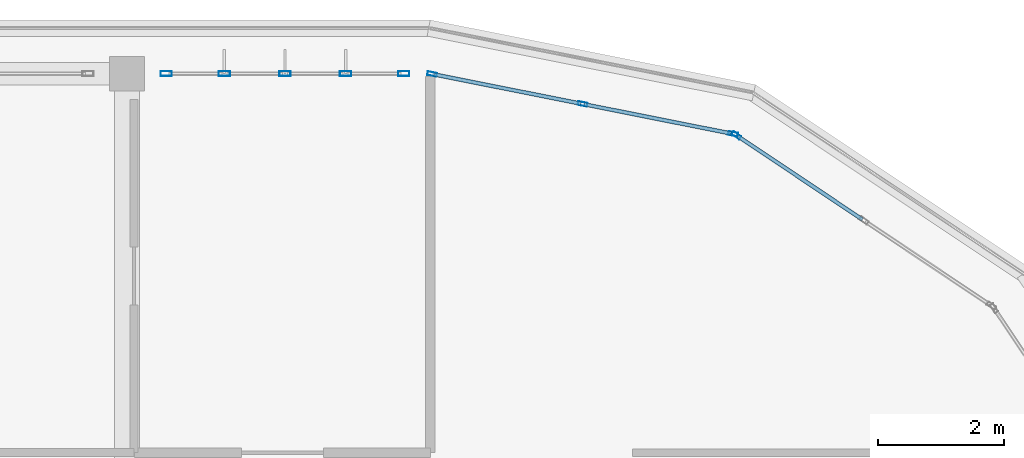
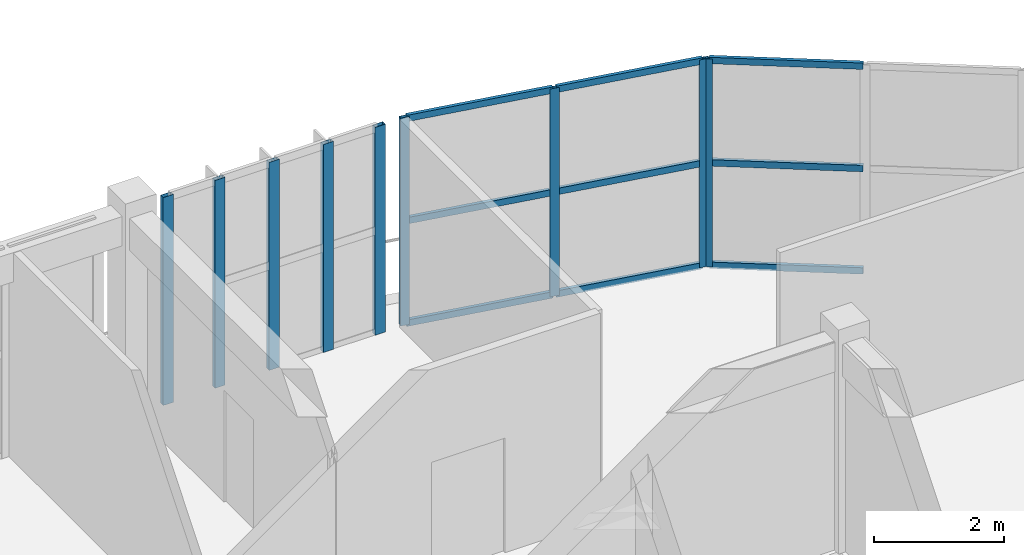
# One storey, part 25 of 44: 18 members, 3 elements without a shape of their own.
"""IFC4 building model written with IfcOpenShell, lengths in metres."""

from ifc_helpers import new_model, si_unit, direction, frame, origin, origin_2d, place, context, subcontext, project, spatial, hollow_rectangle, extrude, material, layer, layer_set, material_profile, profile_set, type_object, element, aggregate, save


model = new_model("IFC4")

# Units and contexts
model_context = context("Model", 3, precision=1e-05, world=origin(), true_north=direction((0.0, 1.0)))
body_context = subcontext(model_context, "Body", "Model", "MODEL_VIEW")
ifc_project = project(units=[si_unit("LENGTHUNIT", "METRE"), si_unit("AREAUNIT", "SQUARE_METRE"), si_unit("VOLUMEUNIT", "CUBIC_METRE"), si_unit("PLANEANGLEUNIT", "RADIAN"), si_unit("MASSUNIT", "GRAM", prefix="KILO")], contexts=[model_context])

# Site, building, storey
site_placement = place(None, origin())
site = spatial("IfcSite", under=ifc_project, at=site_placement, CompositionType="ELEMENT")
building_placement = place(site_placement, origin())
building = spatial("IfcBuilding", under=site, at=building_placement, Name="Zizhar Promenade General Hospital", CompositionType="ELEMENT")
storey_placement = place(building_placement, frame((0.0, 0.0, 34.800048828125)))
storey = spatial("IfcBuildingStorey", under=building, at=storey_placement, Name="L08", CompositionType="ELEMENT", Elevation=34.800048828125)

# Curtain wall, member
ifc_material_1 = material(Name="Anodised aluminium 6063-T6 and low-E glass", Category="aluminium")
ifc_layer_1 = layer(ifc_material_1, 0.159912109375)
ifc_layer_set_1 = layer_set([ifc_layer_1], Name="Anodised aluminium 6063-T6 and low-E glass")
curtain_wall_type_1 = type_object("IfcCurtainWallType", Name="CW-WARD-ARC", PredefinedType="NOTDEFINED", material=ifc_layer_set_1)
curtain_wall_1_placement = place(storey_placement, origin())
curtain_wall_1 = element("IfcCurtainWall", 1, at=curtain_wall_1_placement, inside=storey, type_object=curtain_wall_type_1, Name="Ward Semicircular End Glazing L08-07", PredefinedType="NOTDEFINED")
ifc_material_2 = material(Name="Anodised aluminium 6063-T6", Category="aluminium")
ifc_material_profile_1 = material_profile(ifc_material_2, hollow_rectangle(XDim=0.06005859375, YDim=0.14990234375, WallThickness=0.00390625, at=origin_2d()))
ifc_profile_set_1 = profile_set([ifc_material_profile_1], Name="Anodised aluminium 6063-T6")
member_type_1 = type_object("IfcMemberType", Name="CWM-ALU-150x60", PredefinedType="MULLION", material=ifc_profile_set_1)
member_1_placement = place(storey_placement, frame((103.246826171875, 24.22412109375, 0.0), z_axis=(0.0, 0.0, 1.0), x_axis=(0.555582352095, 0.831461514468, 0.0)))
member_1 = element("IfcMember", 2, at=member_1_placement, type_object=member_type_1, Name="CW-12 mullion 1", PredefinedType="MULLION", context=body_context, shape_type="SweptSolid", body=[
    extrude(hollow_rectangle(XDim=0.06005859375, YDim=0.14990234375, WallThickness=0.00390625, at=origin_2d()), origin(), (0.0, 0.0, 1.0), 3.89990234375),
])

# Curtain wall, members
curtain_wall_2_placement = place(storey_placement, origin())
curtain_wall_2 = element("IfcCurtainWall", 3, at=curtain_wall_2_placement, inside=storey, type_object=curtain_wall_type_1, Name="Ward Semicircular End Glazing L08-08", PredefinedType="NOTDEFINED")
member_2_placement = place(storey_placement, frame((98.429443359375, 25.194091796875, 0.0), z_axis=(0.0, 0.0, 1.0), x_axis=(0.195087259275, 0.980785889615, 0.0)))
member_2 = element("IfcMember", 4, at=member_2_placement, type_object=member_type_1, Name="CW-12 mullion 1", PredefinedType="MULLION", context=body_context, shape_type="SweptSolid", body=[
    extrude(hollow_rectangle(XDim=0.06005859375, YDim=0.14990234375, WallThickness=0.00390625, at=origin_2d()), origin(), (0.0, 0.0, 1.0), 3.89990234375),
])
member_3_placement = place(storey_placement, frame((100.810791015625, 24.720458984375, 0.0), z_axis=(0.0, 0.0, 1.0), x_axis=(0.195087259275, 0.980785889615, 0.0)))
member_3 = element("IfcMember", 5, at=member_3_placement, type_object=member_type_1, Name="CW-12 mullion 2", PredefinedType="MULLION", context=body_context, shape_type="SweptSolid", body=[
    extrude(hollow_rectangle(XDim=0.06005859375, YDim=0.14990234375, WallThickness=0.00390625, at=origin_2d()), origin(), (0.0, 0.0, 1.0), 3.89990234375),
])
member_4_placement = place(storey_placement, frame((103.1923828125, 24.246826171875, 0.0), z_axis=(0.0, 0.0, 1.0), x_axis=(0.195087259275, 0.980785889615, 0.0)))
member_4 = element("IfcMember", 6, at=member_4_placement, type_object=member_type_1, Name="CW-12 mullion 3", PredefinedType="MULLION", context=body_context, shape_type="SweptSolid", body=[
    extrude(hollow_rectangle(XDim=0.06005859375, YDim=0.14990234375, WallThickness=0.00390625, at=origin_2d()), origin(), (0.0, 0.0, 1.0), 3.89990234375),
])

ifc_material_3 = material(Name="Anodised aluminium 6063-T6 and low-E glass", Category="aluminium")
ifc_layer_2 = layer(ifc_material_3, 0.159912109375)
ifc_layer_set_2 = layer_set([ifc_layer_2], Name="Anodised aluminium 6063-T6 and low-E glass")
curtain_wall_type_2 = type_object("IfcCurtainWallType", Name="CW-WARD-RIB", PredefinedType="NOTDEFINED", material=ifc_layer_set_2)
curtain_wall_3_placement = place(storey_placement, origin())
curtain_wall_3 = element("IfcCurtainWall", 7, at=curtain_wall_3_placement, inside=storey, type_object=curtain_wall_type_2, Name="Ward Ribbon Curtain Wall L08-8-6", PredefinedType="NOTDEFINED")
ifc_material_4 = material(Name="Anodised aluminium 6063-T6", Category="aluminium")
ifc_material_profile_2 = material_profile(ifc_material_4, hollow_rectangle(XDim=0.080078125, YDim=0.179931640625, WallThickness=0.0048828125, at=origin_2d()))
ifc_profile_set_2 = profile_set([ifc_material_profile_2], Name="Anodised aluminium 6063-T6")
member_type_2 = type_object("IfcMemberType", Name="CWM-ALU-180x80", PredefinedType="MULLION", material=ifc_profile_set_2)
member_5_placement = place(storey_placement, frame((94.219970703125, 25.199951171875, 0.0), z_axis=(0.0, 0.0, 1.0), x_axis=(0.0, 1.0, 0.0)))
member_5 = element("IfcMember", 8, at=member_5_placement, type_object=member_type_2, Name="CW-13 mullion 1", PredefinedType="MULLION", context=body_context, shape_type="SweptSolid", body=[
    extrude(hollow_rectangle(XDim=0.080078125, YDim=0.179931640625, WallThickness=0.0048828125, at=origin_2d()), origin(), (0.0, 0.0, 1.0), 3.89990234375),
])
member_6_placement = place(storey_placement, frame((95.139892578125, 25.199951171875, 0.0), z_axis=(0.0, 0.0, 1.0), x_axis=(0.0, 1.0, 0.0)))
member_6 = element("IfcMember", 9, at=member_6_placement, type_object=member_type_2, Name="CW-13 mullion 2", PredefinedType="MULLION", context=body_context, shape_type="SweptSolid", body=[
    extrude(hollow_rectangle(XDim=0.080078125, YDim=0.179931640625, WallThickness=0.0048828125, at=origin_2d()), origin(), (0.0, 0.0, 1.0), 3.89990234375),
])
member_7_placement = place(storey_placement, frame((96.10009765625, 25.199951171875, 0.0), z_axis=(0.0, 0.0, 1.0), x_axis=(0.0, 1.0, 0.0)))
member_7 = element("IfcMember", 10, at=member_7_placement, type_object=member_type_2, Name="CW-13 mullion 3", PredefinedType="MULLION", context=body_context, shape_type="SweptSolid", body=[
    extrude(hollow_rectangle(XDim=0.080078125, YDim=0.179931640625, WallThickness=0.0048828125, at=origin_2d()), origin(), (0.0, 0.0, 1.0), 3.89990234375),
])
member_8_placement = place(storey_placement, frame((97.06005859375, 25.199951171875, 0.0), z_axis=(0.0, 0.0, 1.0), x_axis=(0.0, 1.0, 0.0)))
member_8 = element("IfcMember", 11, at=member_8_placement, type_object=member_type_2, Name="CW-13 mullion 4", PredefinedType="MULLION", context=body_context, shape_type="SweptSolid", body=[
    extrude(hollow_rectangle(XDim=0.080078125, YDim=0.179931640625, WallThickness=0.0048828125, at=origin_2d()), origin(), (0.0, 0.0, 1.0), 3.89990234375),
])
member_9_placement = place(storey_placement, frame((97.97998046875, 25.199951171875, 0.0), z_axis=(0.0, 0.0, 1.0), x_axis=(0.0, 1.0, 0.0)))
member_9 = element("IfcMember", 12, at=member_9_placement, type_object=member_type_2, Name="CW-13 mullion 5", PredefinedType="MULLION", context=body_context, shape_type="SweptSolid", body=[
    extrude(hollow_rectangle(XDim=0.080078125, YDim=0.179931640625, WallThickness=0.0048828125, at=origin_2d()), origin(), (0.0, 0.0, 1.0), 3.89990234375),
])
aggregate(curtain_wall_3, [member_5, member_6, member_7, member_8, member_9])

# Member
ifc_material_5 = material(Name="Anodised aluminium 6063-T6", Category="aluminium")
ifc_material_profile_3 = material_profile(ifc_material_5, hollow_rectangle(XDim=0.06005859375, YDim=0.1201171875, WallThickness=0.00390625, at=origin_2d()))
ifc_profile_set_3 = profile_set([ifc_material_profile_3], Name="Anodised aluminium 6063-T6")
member_type_3 = type_object("IfcMemberType", Name="CWT-ALU-120x60", PredefinedType="USERDEFINED", material=ifc_profile_set_3)
member_10_placement = place(storey_placement, frame((103.271728515625, 24.20751953125, 0.030029296875), z_axis=(0.831462978956, -0.555580160396, 0.0), x_axis=(0.555580160396, 0.831462978956, 0.0)))
member_10 = element("IfcMember", 13, at=member_10_placement, type_object=member_type_3, Name="CW-12 transom 1.1", ObjectType="TRANSOM", PredefinedType="USERDEFINED", context=body_context, shape_type="SweptSolid", body=[
    extrude(hollow_rectangle(XDim=0.06005859375, YDim=0.1201171875, WallThickness=0.00390625, at=origin_2d()), origin(), (0.0, 0.0, 1.0), 2.3681640625),
])

member_11_placement = place(storey_placement, frame((103.271728515625, 24.20751953125, 1.949951171875), z_axis=(0.831462978956, -0.555580160396, 0.0), x_axis=(0.555580160396, 0.831462978956, 0.0)))
member_11 = element("IfcMember", 14, at=member_11_placement, type_object=member_type_3, Name="CW-12 transom 1.2", ObjectType="TRANSOM", PredefinedType="USERDEFINED", context=body_context, shape_type="SweptSolid", body=[
    extrude(hollow_rectangle(XDim=0.06005859375, YDim=0.1201171875, WallThickness=0.00390625, at=origin_2d()), origin(), (0.0, 0.0, 1.0), 2.3681640625),
])

member_12_placement = place(storey_placement, frame((103.271728515625, 24.20751953125, 3.869873046875), z_axis=(0.831462978956, -0.555580160396, 0.0), x_axis=(0.555580160396, 0.831462978956, 0.0)))
member_12 = element("IfcMember", 15, at=member_12_placement, type_object=member_type_3, Name="CW-12 transom 1.3", ObjectType="TRANSOM", PredefinedType="USERDEFINED", context=body_context, shape_type="SweptSolid", body=[
    extrude(hollow_rectangle(XDim=0.06005859375, YDim=0.1201171875, WallThickness=0.00390625, at=origin_2d()), origin(), (0.0, 0.0, 1.0), 2.3681640625),
])

aggregate(curtain_wall_1, [member_1, member_10, member_11, member_12])

member_13_placement = place(storey_placement, frame((98.458740234375, 25.188232421875, 0.030029296875), z_axis=(0.980794200422, -0.195045472693, 0.0), x_axis=(0.195045472693, 0.980794200422, 0.0)))
member_13 = element("IfcMember", 16, at=member_13_placement, type_object=member_type_3, Name="CW-12 transom 1.1", ObjectType="TRANSOM", PredefinedType="USERDEFINED", context=body_context, shape_type="SweptSolid", body=[
    extrude(hollow_rectangle(XDim=0.06005859375, YDim=0.1201171875, WallThickness=0.00390625, at=origin_2d()), origin(), (0.0, 0.0, 1.0), 2.3681640625),
])

member_14_placement = place(storey_placement, frame((98.458740234375, 25.188232421875, 1.949951171875), z_axis=(0.980794200422, -0.195045472693, 0.0), x_axis=(0.195045472693, 0.980794200422, 0.0)))
member_14 = element("IfcMember", 17, at=member_14_placement, type_object=member_type_3, Name="CW-12 transom 1.2", ObjectType="TRANSOM", PredefinedType="USERDEFINED", context=body_context, shape_type="SweptSolid", body=[
    extrude(hollow_rectangle(XDim=0.06005859375, YDim=0.1201171875, WallThickness=0.00390625, at=origin_2d()), origin(), (0.0, 0.0, 1.0), 2.3681640625),
])

member_15_placement = place(storey_placement, frame((98.458740234375, 25.188232421875, 3.869873046875), z_axis=(0.980794200422, -0.195045472693, 0.0), x_axis=(0.195045472693, 0.980794200422, 0.0)))
member_15 = element("IfcMember", 18, at=member_15_placement, type_object=member_type_3, Name="CW-12 transom 1.3", ObjectType="TRANSOM", PredefinedType="USERDEFINED", context=body_context, shape_type="SweptSolid", body=[
    extrude(hollow_rectangle(XDim=0.06005859375, YDim=0.1201171875, WallThickness=0.00390625, at=origin_2d()), origin(), (0.0, 0.0, 1.0), 2.3681640625),
])

member_16_placement = place(storey_placement, frame((100.84033203125, 24.714599609375, 0.030029296875), z_axis=(0.980790278018, -0.195065195628, 0.0), x_axis=(0.195065195628, 0.980790278018, 0.0)))
member_16 = element("IfcMember", 19, at=member_16_placement, type_object=member_type_3, Name="CW-12 transom 2.1", ObjectType="TRANSOM", PredefinedType="USERDEFINED", context=body_context, shape_type="SweptSolid", body=[
    extrude(hollow_rectangle(XDim=0.06005859375, YDim=0.1201171875, WallThickness=0.00390625, at=origin_2d()), origin(), (0.0, 0.0, 1.0), 2.367919921875),
])

member_17_placement = place(storey_placement, frame((100.84033203125, 24.714599609375, 1.949951171875), z_axis=(0.980790278018, -0.195065195628, 0.0), x_axis=(0.195065195628, 0.980790278018, 0.0)))
member_17 = element("IfcMember", 20, at=member_17_placement, type_object=member_type_3, Name="CW-12 transom 2.2", ObjectType="TRANSOM", PredefinedType="USERDEFINED", context=body_context, shape_type="SweptSolid", body=[
    extrude(hollow_rectangle(XDim=0.06005859375, YDim=0.1201171875, WallThickness=0.00390625, at=origin_2d()), origin(), (0.0, 0.0, 1.0), 2.367919921875),
])

member_18_placement = place(storey_placement, frame((100.84033203125, 24.714599609375, 3.869873046875), z_axis=(0.980790278018, -0.195065195628, 0.0), x_axis=(0.195065195628, 0.980790278018, 0.0)))
member_18 = element("IfcMember", 21, at=member_18_placement, type_object=member_type_3, Name="CW-12 transom 2.3", ObjectType="TRANSOM", PredefinedType="USERDEFINED", context=body_context, shape_type="SweptSolid", body=[
    extrude(hollow_rectangle(XDim=0.06005859375, YDim=0.1201171875, WallThickness=0.00390625, at=origin_2d()), origin(), (0.0, 0.0, 1.0), 2.367919921875),
])

aggregate(curtain_wall_2, [member_2, member_3, member_4, member_13, member_14, member_15, member_16, member_17, member_18])

save(model, "model.ifc")
